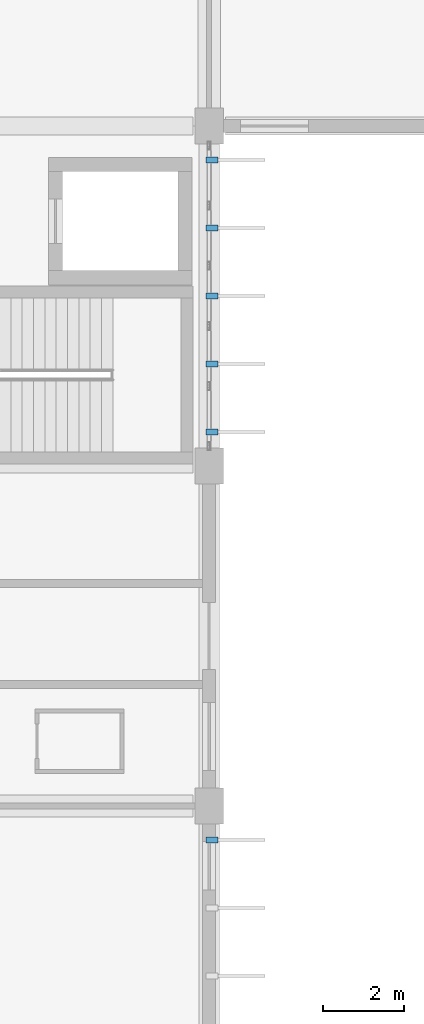
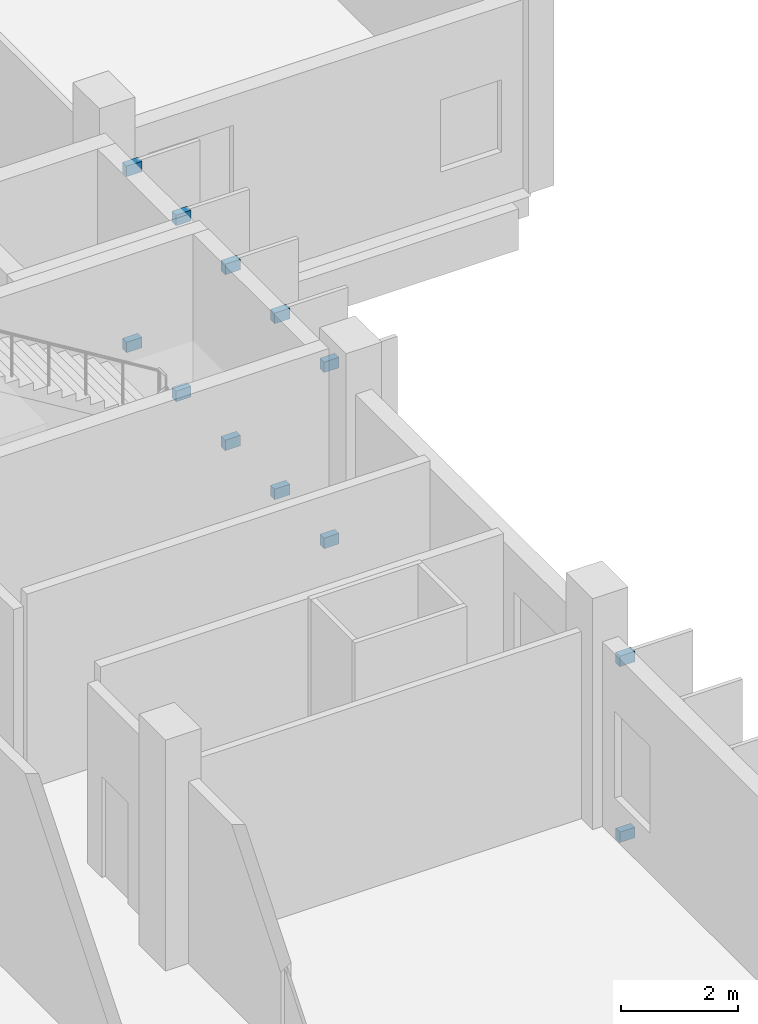
# One storey, part 87 of 95: 12 discrete accessories.
"""IFC4 building model written with IfcOpenShell, lengths in metres."""

from ifc_helpers import new_model, si_unit, direction, frame, origin, origin_2d, place, context, subcontext, project, spatial, rectangle, extrude, material, type_object, element, save


model = new_model("IFC4")

# Units and contexts
model_context = context("Model", 3, precision=1e-05, world=origin(), true_north=direction((0.0, 1.0)))
body_context = subcontext(model_context, "Body", "Model", "MODEL_VIEW")
ifc_project = project(units=[si_unit("LENGTHUNIT", "METRE"), si_unit("AREAUNIT", "SQUARE_METRE"), si_unit("VOLUMEUNIT", "CUBIC_METRE"), si_unit("PLANEANGLEUNIT", "RADIAN"), si_unit("MASSUNIT", "GRAM", prefix="KILO")], contexts=[model_context])

# Site, building, storey
site_placement = place(None, origin())
site = spatial("IfcSite", under=ifc_project, at=site_placement, CompositionType="ELEMENT")
building_placement = place(site_placement, origin())
building = spatial("IfcBuilding", under=site, at=building_placement, Name="Vireocrest Preparatory School", CompositionType="ELEMENT")
storey_placement = place(building_placement, origin())
storey = spatial("IfcBuildingStorey", under=building, at=storey_placement, Name="L00", CompositionType="ELEMENT", Elevation=0.0)

# Discrete accessories
ifc_material = material(Name="Structural steel ASTM A572 Grade 50", Category="steel")
discrete_accessory_type = type_object("IfcDiscreteAccessoryType", Name="Slab-Edge Steel Outrigger Fin Bracket", PredefinedType="BRACKET", material=ifc_material)
for number, where, z_axis, x_axis, name in (
    (1, (109.27001953125, 68.159912109375, -0.08984375), (0.0, 0.0, 1.0), (0.0, -1.0, 0.0), "Solar Fin Outrigger Bracket BK1 L00-1-5-BOT"),
    (2, (109.27001953125, 68.159912109375, 3.56982421875), (0.0, 0.0, 1.0), (0.0, -1.0, 0.0), "Solar Fin Outrigger Bracket BK1 L00-1-5-TOP"),
    (3, (109.27001953125, 78.239990234375, -0.08984375), (0.0, 0.0, 1.0), (0.0, -1.0, 0.0), "Solar Fin Outrigger Bracket BK1 L00-2-1-BOT"),
    (4, (109.27001953125, 78.239990234375, 3.56982421875), (0.0, 0.0, 1.0), (0.0, -1.0, 0.0), "Solar Fin Outrigger Bracket BK1 L00-2-1-TOP"),
    (5, (109.27001953125, 79.919921875, -0.08984375), (0.0, 0.0, 1.0), (0.0, -1.0, 0.0), "Solar Fin Outrigger Bracket BK1 L00-2-2-BOT"),
    (6, (109.27001953125, 79.919921875, 3.56982421875), (0.0, 0.0, 1.0), (0.0, -1.0, 0.0), "Solar Fin Outrigger Bracket BK1 L00-2-2-TOP"),
    (7, (109.27001953125, 81.60009765625, -0.08984375), (0.0, 0.0, 1.0), (0.0, -1.0, 0.0), "Solar Fin Outrigger Bracket BK1 L00-2-3-BOT"),
    (8, (109.27001953125, 81.60009765625, 3.56982421875), (0.0, 0.0, 1.0), (0.0, -1.0, 0.0), "Solar Fin Outrigger Bracket BK1 L00-2-3-TOP"),
    (9, (109.27001953125, 83.280029296875, -0.08984375), (0.0, 0.0, 1.0), (0.0, -1.0, 0.0), "Solar Fin Outrigger Bracket BK1 L00-2-4-BOT"),
    (10, (109.27001953125, 83.280029296875, 3.56982421875), (0.0, 0.0, 1.0), (0.0, -1.0, 0.0), "Solar Fin Outrigger Bracket BK1 L00-2-4-TOP"),
    (11, (109.27001953125, 84.9599609375, -0.08984375), (0.0, 0.0, 1.0), (0.0, -1.0, 0.0), "Solar Fin Outrigger Bracket BK1 L00-2-5-BOT"),
    (12, (109.27001953125, 84.9599609375, 3.56982421875), (0.0, 0.0, 1.0), (0.0, -1.0, 0.0), "Solar Fin Outrigger Bracket BK1 L00-2-5-TOP"),
):
    element("IfcDiscreteAccessory", number, at=place(storey_placement, frame(where, z_axis=z_axis, x_axis=x_axis)), inside=storey, type_object=discrete_accessory_type, Name=name, PredefinedType="BRACKET", context=body_context, shape_type="SweptSolid", body=[
        extrude(rectangle(XDim=0.139892578125, YDim=0.300048828125, at=origin_2d()), origin(), (0.0, 0.0, 1.0), 0.219970703125),
    ])

save(model, "model.ifc")
